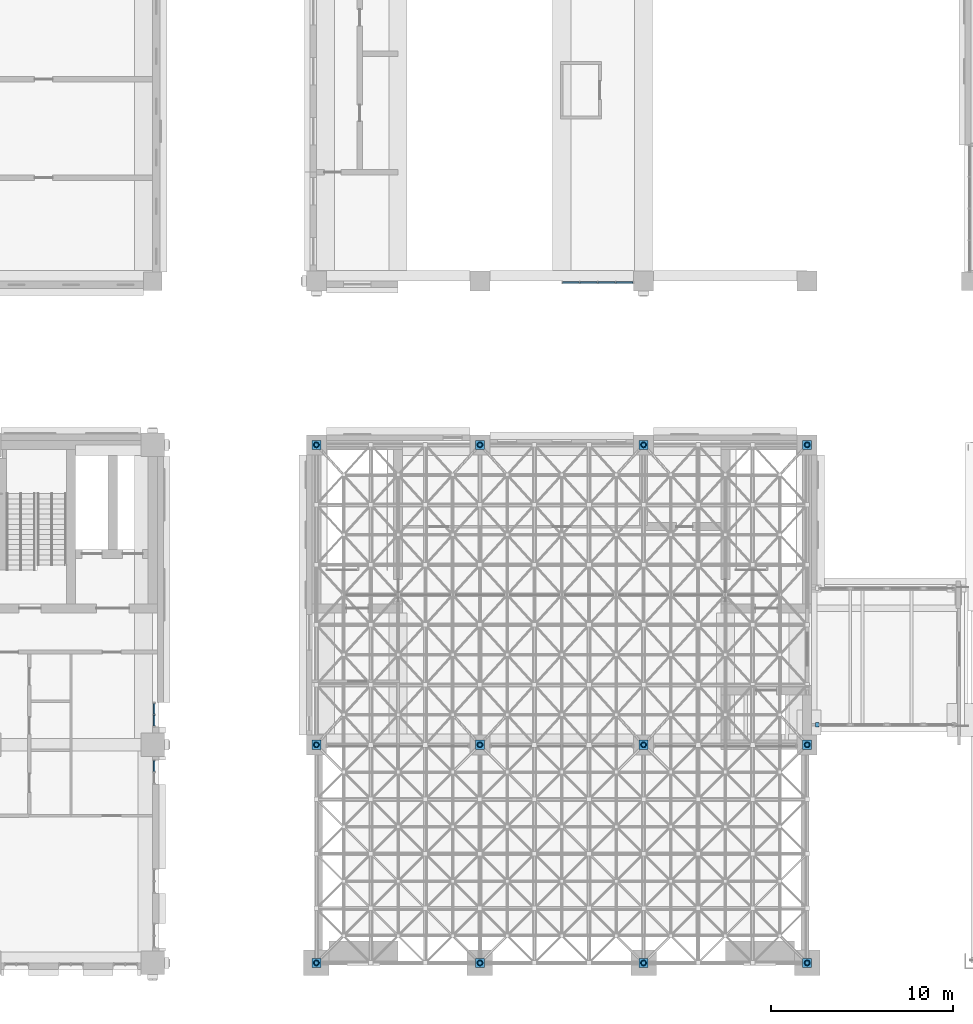
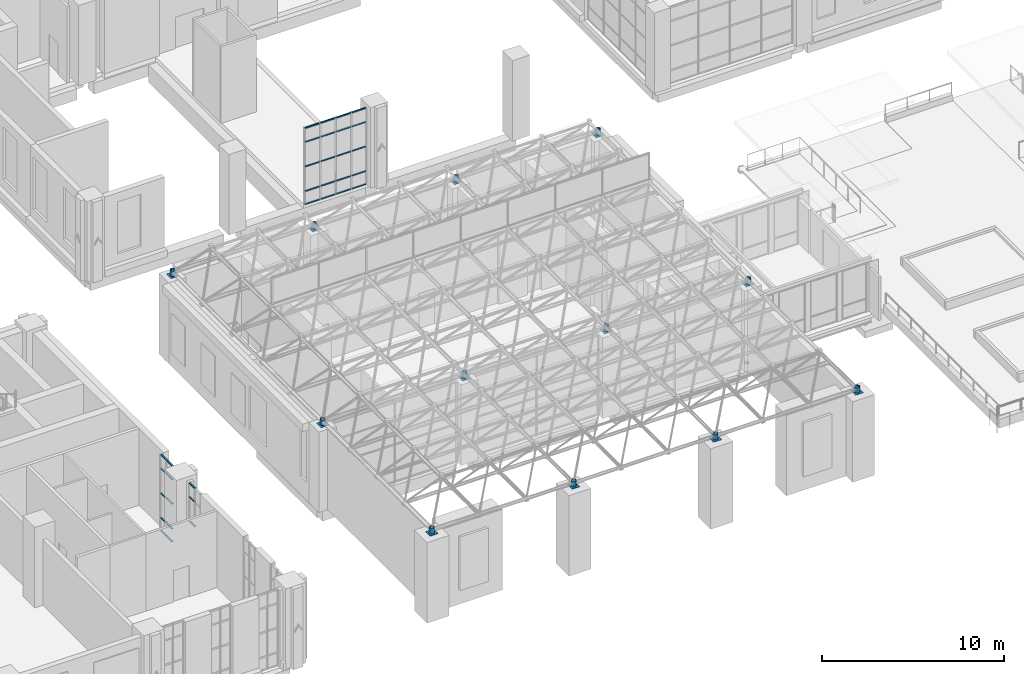
# One storey, part 17 of 53: 58 members, 3 elements without a shape of their own.
"""IFC4 building model written with IfcOpenShell, lengths in metres."""

from ifc_helpers import new_model, si_unit, direction, frame, origin, origin_2d, place, context, subcontext, project, spatial, rectangle, hollow_circle, extrude, material, layer, layer_set, material_profile, profile_set, type_object, element, aggregate, save


model = new_model("IFC4")

# Units and contexts
model_context = context("Model", 3, precision=1e-05, world=origin(), true_north=direction((0.0, 1.0)))
body_context = subcontext(model_context, "Body", "Model", "MODEL_VIEW")
ifc_project = project(units=[si_unit("LENGTHUNIT", "METRE"), si_unit("AREAUNIT", "SQUARE_METRE"), si_unit("VOLUMEUNIT", "CUBIC_METRE"), si_unit("PLANEANGLEUNIT", "RADIAN"), si_unit("MASSUNIT", "GRAM", prefix="KILO")], contexts=[model_context])

# Site, building, storey
site_placement = place(None, origin())
site = spatial("IfcSite", under=ifc_project, at=site_placement, CompositionType="ELEMENT")
building_placement = place(site_placement, origin())
building = spatial("IfcBuilding", under=site, at=building_placement, Name="Aurelan Courthouse", CompositionType="ELEMENT")
storey_placement = place(building_placement, frame((0.0, 0.0, 12.0)))
storey = spatial("IfcBuildingStorey", under=building, at=storey_placement, Name="L02", CompositionType="ELEMENT", Elevation=12.0)

# Members
ifc_material_1 = material(Name="Steel S355", Category="steel")
ifc_material_profile_1 = material_profile(ifc_material_1, rectangle(XDim=0.5, YDim=0.5, at=origin_2d()), Name="PL 500 x 500")
ifc_profile_set_1 = profile_set([ifc_material_profile_1], Name="Steel S355")
member_type_1 = type_object("IfcMemberType", Name="Bearing plate 500 x 500 x 20", PredefinedType="USERDEFINED", material=ifc_profile_set_1)
for number, where, z_axis, x_axis, name in (
    (1, (36.0, 0.0, 5.39990234375), (0.0, 0.0, 1.0), (1.0, 0.0, 0.0), "Bearing plate SF-P1 A5"),
    (2, (45.0, 0.0, 5.39990234375), (0.0, 0.0, 1.0), (1.0, 0.0, 0.0), "Bearing plate SF-P1 A6"),
    (3, (54.0, 0.0, 5.39990234375), (0.0, 0.0, 1.0), (1.0, 0.0, 0.0), "Bearing plate SF-P1 A7"),
    (4, (63.0, 0.0, 5.39990234375), (0.0, 0.0, 1.0), (1.0, 0.0, 0.0), "Bearing plate SF-P1 A8"),
    (5, (36.0, 12.0, 5.39990234375), (0.0, 0.0, 1.0), (1.0, 0.0, 0.0), "Bearing plate SF-P1 B5"),
    (6, (45.0, 12.0, 5.39990234375), (0.0, 0.0, 1.0), (1.0, 0.0, 0.0), "Bearing plate SF-P1 B6"),
    (7, (54.0, 12.0, 5.39990234375), (0.0, 0.0, 1.0), (1.0, 0.0, 0.0), "Bearing plate SF-P1 B7"),
    (8, (63.0, 12.0, 5.39990234375), (0.0, 0.0, 1.0), (1.0, 0.0, 0.0), "Bearing plate SF-P1 B8"),
    (9, (36.0, 28.5, 5.39990234375), (0.0, 0.0, 1.0), (1.0, 0.0, 0.0), "Bearing plate SF-P1 C5"),
    (10, (45.0, 28.5, 5.39990234375), (0.0, 0.0, 1.0), (1.0, 0.0, 0.0), "Bearing plate SF-P1 C6"),
    (11, (54.0, 28.5, 5.39990234375), (0.0, 0.0, 1.0), (1.0, 0.0, 0.0), "Bearing plate SF-P1 C7"),
    (12, (63.0, 28.5, 5.39990234375), (0.0, 0.0, 1.0), (1.0, 0.0, 0.0), "Bearing plate SF-P1 C8"),
):
    element("IfcMember", number, at=place(storey_placement, frame(where, z_axis=z_axis, x_axis=x_axis)), inside=storey, type_object=member_type_1, Name=name, ObjectType="BEARING PLATE", PredefinedType="USERDEFINED", context=body_context, shape_type="SweptSolid", body=[
        extrude(rectangle(XDim=0.5, YDim=0.5, at=origin_2d()), origin(), (0.0, 0.0, 1.0), 0.02001953125),
    ])
ifc_material_2 = material(Name="Steel-laminated elastomeric bearing, S355 steel shims", Category="steel")
ifc_material_profile_2 = material_profile(ifc_material_2, rectangle(XDim=0.199951171875, YDim=0.25, at=origin_2d()), Name="PL 200 x 250")
ifc_profile_set_2 = profile_set([ifc_material_profile_2], Name="Steel-laminated elastomeric bearing, S355 steel shims")
member_type_2 = type_object("IfcMemberType", Name="Bridge fixed bearing 200 x 250 x 50", PredefinedType="USERDEFINED", material=ifc_profile_set_2)
member_1_placement = place(storey_placement, frame((63.550048828125, 13.10009765625, -0.800048828125), z_axis=(0.0, 0.0, 1.0), x_axis=(1.0, 0.0, 0.0)))
element("IfcMember", 13, at=member_1_placement, inside=storey, type_object=member_type_2, Name="Bridge fixed bearing BRF-3", ObjectType="BEARING", PredefinedType="USERDEFINED", context=body_context, shape_type="SweptSolid", body=[
    extrude(rectangle(XDim=0.199951171875, YDim=0.25, at=origin_2d()), origin(), (0.0, 0.0, 1.0), 0.050048828125),
])

# Curtain wall, members
ifc_material_3 = material(Name="Bronze-finished aluminium and glass", Category="aluminium")
ifc_layer_1 = layer(ifc_material_3, 0.14990234375)
ifc_layer_set_1 = layer_set([ifc_layer_1], Name="Bronze-finished aluminium and glass")
curtain_wall_type_1 = type_object("IfcCurtainWallType", Name="Curtain wall 3950 x 5150", PredefinedType="NOTDEFINED", material=ifc_layer_set_1)
curtain_wall_1_placement = place(storey_placement, origin())
curtain_wall_1 = element("IfcCurtainWall", 14, at=curtain_wall_1_placement, inside=storey, type_object=curtain_wall_type_1, Name="Curtain wall CW-V2-L02-S01", PredefinedType="NOTDEFINED")
ifc_material_4 = material(Name="Bronze-finished aluminium", Category="aluminium")
ifc_material_profile_3 = material_profile(ifc_material_4, rectangle(XDim=0.090087890625, YDim=0.050048828125, at=origin_2d()), Name="Bronze transom 50 x 90")
ifc_profile_set_3 = profile_set([ifc_material_profile_3], Name="Bronze-finished aluminium")
member_type_3 = type_object("IfcMemberType", Name="Curtain wall transom 50 x 90", PredefinedType="USERDEFINED", material=ifc_profile_set_3)
member_2_placement = place(storey_placement, frame((49.550048828125, 37.425048828125, 0.02490234375), z_axis=(1.0, 0.0, 0.0), x_axis=(0.0, 1.0, 0.0)))
member_2 = element("IfcMember", 15, at=member_2_placement, type_object=member_type_3, Name="CW-V2-L02-S01 transom 1.1", ObjectType="TRANSOM", PredefinedType="USERDEFINED", context=body_context, shape_type="SweptSolid", body=[
    extrude(rectangle(XDim=0.090087890625, YDim=0.050048828125, at=origin_2d()), origin(), (0.0, 0.0, 1.0), 0.912353515625),
])
member_3_placement = place(storey_placement, frame((49.550048828125, 37.425048828125, 0.89990234375), z_axis=(1.0, 0.0, 0.0), x_axis=(0.0, 1.0, 0.0)))
member_3 = element("IfcMember", 16, at=member_3_placement, type_object=member_type_3, Name="CW-V2-L02-S01 transom 1.2", ObjectType="TRANSOM", PredefinedType="USERDEFINED", context=body_context, shape_type="SweptSolid", body=[
    extrude(rectangle(XDim=0.090087890625, YDim=0.050048828125, at=origin_2d()), origin(), (0.0, 0.0, 1.0), 0.912353515625),
])
member_4_placement = place(storey_placement, frame((49.550048828125, 37.425048828125, 2.550048828125), z_axis=(1.0, 0.0, 0.0), x_axis=(0.0, 1.0, 0.0)))
member_4 = element("IfcMember", 17, at=member_4_placement, type_object=member_type_3, Name="CW-V2-L02-S01 transom 1.3", ObjectType="TRANSOM", PredefinedType="USERDEFINED", context=body_context, shape_type="SweptSolid", body=[
    extrude(rectangle(XDim=0.090087890625, YDim=0.050048828125, at=origin_2d()), origin(), (0.0, 0.0, 1.0), 0.912353515625),
])
member_5_placement = place(storey_placement, frame((49.550048828125, 37.425048828125, 4.199951171875), z_axis=(1.0, 0.0, 0.0), x_axis=(0.0, 1.0, 0.0)))
member_5 = element("IfcMember", 18, at=member_5_placement, type_object=member_type_3, Name="CW-V2-L02-S01 transom 1.4", ObjectType="TRANSOM", PredefinedType="USERDEFINED", context=body_context, shape_type="SweptSolid", body=[
    extrude(rectangle(XDim=0.090087890625, YDim=0.050048828125, at=origin_2d()), origin(), (0.0, 0.0, 1.0), 0.912353515625),
])
member_6_placement = place(storey_placement, frame((49.550048828125, 37.425048828125, 5.125), z_axis=(1.0, 0.0, 0.0), x_axis=(0.0, 1.0, 0.0)))
member_6 = element("IfcMember", 19, at=member_6_placement, type_object=member_type_3, Name="CW-V2-L02-S01 transom 1.5", ObjectType="TRANSOM", PredefinedType="USERDEFINED", context=body_context, shape_type="SweptSolid", body=[
    extrude(rectangle(XDim=0.090087890625, YDim=0.050048828125, at=origin_2d()), origin(), (0.0, 0.0, 1.0), 0.912353515625),
])
member_7_placement = place(storey_placement, frame((50.512451171875, 37.425048828125, 0.02490234375), z_axis=(1.0, 0.0, 0.0), x_axis=(0.0, 1.0, 0.0)))
member_7 = element("IfcMember", 20, at=member_7_placement, type_object=member_type_3, Name="CW-V2-L02-S01 transom 2.1", ObjectType="TRANSOM", PredefinedType="USERDEFINED", context=body_context, shape_type="SweptSolid", body=[
    extrude(rectangle(XDim=0.090087890625, YDim=0.050048828125, at=origin_2d()), origin(), (0.0, 0.0, 1.0), 0.9375),
])
member_8_placement = place(storey_placement, frame((50.512451171875, 37.425048828125, 0.89990234375), z_axis=(1.0, 0.0, 0.0), x_axis=(0.0, 1.0, 0.0)))
member_8 = element("IfcMember", 21, at=member_8_placement, type_object=member_type_3, Name="CW-V2-L02-S01 transom 2.2", ObjectType="TRANSOM", PredefinedType="USERDEFINED", context=body_context, shape_type="SweptSolid", body=[
    extrude(rectangle(XDim=0.090087890625, YDim=0.050048828125, at=origin_2d()), origin(), (0.0, 0.0, 1.0), 0.9375),
])
member_9_placement = place(storey_placement, frame((50.512451171875, 37.425048828125, 2.550048828125), z_axis=(1.0, 0.0, 0.0), x_axis=(0.0, 1.0, 0.0)))
member_9 = element("IfcMember", 22, at=member_9_placement, type_object=member_type_3, Name="CW-V2-L02-S01 transom 2.3", ObjectType="TRANSOM", PredefinedType="USERDEFINED", context=body_context, shape_type="SweptSolid", body=[
    extrude(rectangle(XDim=0.090087890625, YDim=0.050048828125, at=origin_2d()), origin(), (0.0, 0.0, 1.0), 0.9375),
])
member_10_placement = place(storey_placement, frame((50.512451171875, 37.425048828125, 4.199951171875), z_axis=(1.0, 0.0, 0.0), x_axis=(0.0, 1.0, 0.0)))
member_10 = element("IfcMember", 23, at=member_10_placement, type_object=member_type_3, Name="CW-V2-L02-S01 transom 2.4", ObjectType="TRANSOM", PredefinedType="USERDEFINED", context=body_context, shape_type="SweptSolid", body=[
    extrude(rectangle(XDim=0.090087890625, YDim=0.050048828125, at=origin_2d()), origin(), (0.0, 0.0, 1.0), 0.9375),
])
member_11_placement = place(storey_placement, frame((50.512451171875, 37.425048828125, 5.125), z_axis=(1.0, 0.0, 0.0), x_axis=(0.0, 1.0, 0.0)))
member_11 = element("IfcMember", 24, at=member_11_placement, type_object=member_type_3, Name="CW-V2-L02-S01 transom 2.5", ObjectType="TRANSOM", PredefinedType="USERDEFINED", context=body_context, shape_type="SweptSolid", body=[
    extrude(rectangle(XDim=0.090087890625, YDim=0.050048828125, at=origin_2d()), origin(), (0.0, 0.0, 1.0), 0.9375),
])
member_12_placement = place(storey_placement, frame((51.5, 37.425048828125, 0.02490234375), z_axis=(1.0, 0.0, 0.0), x_axis=(0.0, 1.0, 0.0)))
member_12 = element("IfcMember", 25, at=member_12_placement, type_object=member_type_3, Name="CW-V2-L02-S01 transom 3.1", ObjectType="TRANSOM", PredefinedType="USERDEFINED", context=body_context, shape_type="SweptSolid", body=[
    extrude(rectangle(XDim=0.090087890625, YDim=0.050048828125, at=origin_2d()), origin(), (0.0, 0.0, 1.0), 0.9375),
])
member_13_placement = place(storey_placement, frame((51.5, 37.425048828125, 0.89990234375), z_axis=(1.0, 0.0, 0.0), x_axis=(0.0, 1.0, 0.0)))
member_13 = element("IfcMember", 26, at=member_13_placement, type_object=member_type_3, Name="CW-V2-L02-S01 transom 3.2", ObjectType="TRANSOM", PredefinedType="USERDEFINED", context=body_context, shape_type="SweptSolid", body=[
    extrude(rectangle(XDim=0.090087890625, YDim=0.050048828125, at=origin_2d()), origin(), (0.0, 0.0, 1.0), 0.9375),
])
member_14_placement = place(storey_placement, frame((51.5, 37.425048828125, 2.550048828125), z_axis=(1.0, 0.0, 0.0), x_axis=(0.0, 1.0, 0.0)))
member_14 = element("IfcMember", 27, at=member_14_placement, type_object=member_type_3, Name="CW-V2-L02-S01 transom 3.3", ObjectType="TRANSOM", PredefinedType="USERDEFINED", context=body_context, shape_type="SweptSolid", body=[
    extrude(rectangle(XDim=0.090087890625, YDim=0.050048828125, at=origin_2d()), origin(), (0.0, 0.0, 1.0), 0.9375),
])
member_15_placement = place(storey_placement, frame((51.5, 37.425048828125, 4.199951171875), z_axis=(1.0, 0.0, 0.0), x_axis=(0.0, 1.0, 0.0)))
member_15 = element("IfcMember", 28, at=member_15_placement, type_object=member_type_3, Name="CW-V2-L02-S01 transom 3.4", ObjectType="TRANSOM", PredefinedType="USERDEFINED", context=body_context, shape_type="SweptSolid", body=[
    extrude(rectangle(XDim=0.090087890625, YDim=0.050048828125, at=origin_2d()), origin(), (0.0, 0.0, 1.0), 0.9375),
])
member_16_placement = place(storey_placement, frame((51.5, 37.425048828125, 5.125), z_axis=(1.0, 0.0, 0.0), x_axis=(0.0, 1.0, 0.0)))
member_16 = element("IfcMember", 29, at=member_16_placement, type_object=member_type_3, Name="CW-V2-L02-S01 transom 3.5", ObjectType="TRANSOM", PredefinedType="USERDEFINED", context=body_context, shape_type="SweptSolid", body=[
    extrude(rectangle(XDim=0.090087890625, YDim=0.050048828125, at=origin_2d()), origin(), (0.0, 0.0, 1.0), 0.9375),
])
member_17_placement = place(storey_placement, frame((52.487548828125, 37.425048828125, 0.02490234375), z_axis=(1.0, 0.0, 0.0), x_axis=(0.0, 1.0, 0.0)))
member_17 = element("IfcMember", 30, at=member_17_placement, type_object=member_type_3, Name="CW-V2-L02-S01 transom 4.1", ObjectType="TRANSOM", PredefinedType="USERDEFINED", context=body_context, shape_type="SweptSolid", body=[
    extrude(rectangle(XDim=0.090087890625, YDim=0.050048828125, at=origin_2d()), origin(), (0.0, 0.0, 1.0), 0.912353515625),
])
member_18_placement = place(storey_placement, frame((52.487548828125, 37.425048828125, 0.89990234375), z_axis=(1.0, 0.0, 0.0), x_axis=(0.0, 1.0, 0.0)))
member_18 = element("IfcMember", 31, at=member_18_placement, type_object=member_type_3, Name="CW-V2-L02-S01 transom 4.2", ObjectType="TRANSOM", PredefinedType="USERDEFINED", context=body_context, shape_type="SweptSolid", body=[
    extrude(rectangle(XDim=0.090087890625, YDim=0.050048828125, at=origin_2d()), origin(), (0.0, 0.0, 1.0), 0.912353515625),
])
member_19_placement = place(storey_placement, frame((52.487548828125, 37.425048828125, 2.550048828125), z_axis=(1.0, 0.0, 0.0), x_axis=(0.0, 1.0, 0.0)))
member_19 = element("IfcMember", 32, at=member_19_placement, type_object=member_type_3, Name="CW-V2-L02-S01 transom 4.3", ObjectType="TRANSOM", PredefinedType="USERDEFINED", context=body_context, shape_type="SweptSolid", body=[
    extrude(rectangle(XDim=0.090087890625, YDim=0.050048828125, at=origin_2d()), origin(), (0.0, 0.0, 1.0), 0.912353515625),
])
member_20_placement = place(storey_placement, frame((52.487548828125, 37.425048828125, 4.199951171875), z_axis=(1.0, 0.0, 0.0), x_axis=(0.0, 1.0, 0.0)))
member_20 = element("IfcMember", 33, at=member_20_placement, type_object=member_type_3, Name="CW-V2-L02-S01 transom 4.4", ObjectType="TRANSOM", PredefinedType="USERDEFINED", context=body_context, shape_type="SweptSolid", body=[
    extrude(rectangle(XDim=0.090087890625, YDim=0.050048828125, at=origin_2d()), origin(), (0.0, 0.0, 1.0), 0.912353515625),
])
member_21_placement = place(storey_placement, frame((52.487548828125, 37.425048828125, 5.125), z_axis=(1.0, 0.0, 0.0), x_axis=(0.0, 1.0, 0.0)))
member_21 = element("IfcMember", 34, at=member_21_placement, type_object=member_type_3, Name="CW-V2-L02-S01 transom 4.5", ObjectType="TRANSOM", PredefinedType="USERDEFINED", context=body_context, shape_type="SweptSolid", body=[
    extrude(rectangle(XDim=0.090087890625, YDim=0.050048828125, at=origin_2d()), origin(), (0.0, 0.0, 1.0), 0.912353515625),
])
aggregate(curtain_wall_1, [member_2, member_3, member_4, member_5, member_6, member_7, member_8, member_9, member_10, member_11, member_12, member_13, member_14, member_15, member_16, member_17, member_18, member_19, member_20, member_21])

ifc_layer_2 = layer(ifc_material_3, 0.14990234375)
ifc_layer_set_2 = layer_set([ifc_layer_2], Name="Bronze-finished aluminium and glass")
curtain_wall_type_2 = type_object("IfcCurtainWallType", Name="Curtain wall 1350 x 5150", PredefinedType="NOTDEFINED", material=ifc_layer_set_2)
curtain_wall_2_placement = place(storey_placement, origin())
curtain_wall_2 = element("IfcCurtainWall", 35, at=curtain_wall_2_placement, inside=storey, type_object=curtain_wall_type_2, Name="Curtain wall CW-V5-L02-E03", PredefinedType="NOTDEFINED")
ifc_material_profile_4 = material_profile(ifc_material_4, rectangle(XDim=0.10009765625, YDim=0.06005859375, at=origin_2d()), Name="Bronze transom 60 x 100")
ifc_profile_set_4 = profile_set([ifc_material_profile_4], Name="Bronze-finished aluminium")
member_type_4 = type_object("IfcMemberType", Name="Curtain wall transom 60 x 100", PredefinedType="USERDEFINED", material=ifc_profile_set_4)
member_22_placement = place(storey_placement, frame((27.074951171875, 10.530029296875, 2.550048828125), z_axis=(0.0, 1.0, 0.0), x_axis=(-1.0, 0.0, 0.0)))
member_22 = element("IfcMember", 36, at=member_22_placement, type_object=member_type_4, Name="CW-V5-L02-E03 transom 2.3", ObjectType="TRANSOM", PredefinedType="USERDEFINED", context=body_context, shape_type="SweptSolid", body=[
    extrude(rectangle(XDim=0.10009765625, YDim=0.06005859375, at=origin_2d()), origin(), (0.0, 0.0, 1.0), 0.5849609375),
])
member_23_placement = place(storey_placement, frame((27.074951171875, 10.530029296875, 4.199951171875), z_axis=(0.0, 1.0, 0.0), x_axis=(-1.0, 0.0, 0.0)))
member_23 = element("IfcMember", 37, at=member_23_placement, type_object=member_type_4, Name="CW-V5-L02-E03 transom 2.4", ObjectType="TRANSOM", PredefinedType="USERDEFINED", context=body_context, shape_type="SweptSolid", body=[
    extrude(rectangle(XDim=0.10009765625, YDim=0.06005859375, at=origin_2d()), origin(), (0.0, 0.0, 1.0), 0.5849609375),
])
member_24_placement = place(storey_placement, frame((27.074951171875, 10.530029296875, 5.1201171875), z_axis=(0.0, 1.0, 0.0), x_axis=(-1.0, 0.0, 0.0)))
member_24 = element("IfcMember", 38, at=member_24_placement, type_object=member_type_4, Name="CW-V5-L02-E03 transom 2.5", ObjectType="TRANSOM", PredefinedType="USERDEFINED", context=body_context, shape_type="SweptSolid", body=[
    extrude(rectangle(XDim=0.10009765625, YDim=0.06005859375, at=origin_2d()), origin(), (0.0, 0.0, 1.0), 0.5849609375),
])
aggregate(curtain_wall_2, [member_22, member_23, member_24])

curtain_wall_3_placement = place(storey_placement, origin())
curtain_wall_3 = element("IfcCurtainWall", 39, at=curtain_wall_3_placement, inside=storey, type_object=curtain_wall_type_2, Name="Curtain wall CW-V5-L02-E04", PredefinedType="NOTDEFINED")
member_25_placement = place(storey_placement, frame((27.074951171875, 13.034912109375, 0.030029296875), z_axis=(0.0, 1.0, 0.0), x_axis=(-1.0, 0.0, 0.0)))
member_25 = element("IfcMember", 40, at=member_25_placement, type_object=member_type_4, Name="CW-V5-L02-E04 transom 1.1", ObjectType="TRANSOM", PredefinedType="USERDEFINED", context=body_context, shape_type="SweptSolid", body=[
    extrude(rectangle(XDim=0.10009765625, YDim=0.06005859375, at=origin_2d()), origin(), (0.0, 0.0, 1.0), 0.585205078125),
])
member_26_placement = place(storey_placement, frame((27.074951171875, 13.034912109375, 0.89990234375), z_axis=(0.0, 1.0, 0.0), x_axis=(-1.0, 0.0, 0.0)))
member_26 = element("IfcMember", 41, at=member_26_placement, type_object=member_type_4, Name="CW-V5-L02-E04 transom 1.2", ObjectType="TRANSOM", PredefinedType="USERDEFINED", context=body_context, shape_type="SweptSolid", body=[
    extrude(rectangle(XDim=0.10009765625, YDim=0.06005859375, at=origin_2d()), origin(), (0.0, 0.0, 1.0), 0.585205078125),
])
member_27_placement = place(storey_placement, frame((27.074951171875, 13.034912109375, 2.550048828125), z_axis=(0.0, 1.0, 0.0), x_axis=(-1.0, 0.0, 0.0)))
member_27 = element("IfcMember", 42, at=member_27_placement, type_object=member_type_4, Name="CW-V5-L02-E04 transom 1.3", ObjectType="TRANSOM", PredefinedType="USERDEFINED", context=body_context, shape_type="SweptSolid", body=[
    extrude(rectangle(XDim=0.10009765625, YDim=0.06005859375, at=origin_2d()), origin(), (0.0, 0.0, 1.0), 0.585205078125),
])
member_28_placement = place(storey_placement, frame((27.074951171875, 13.034912109375, 4.199951171875), z_axis=(0.0, 1.0, 0.0), x_axis=(-1.0, 0.0, 0.0)))
member_28 = element("IfcMember", 43, at=member_28_placement, type_object=member_type_4, Name="CW-V5-L02-E04 transom 1.4", ObjectType="TRANSOM", PredefinedType="USERDEFINED", context=body_context, shape_type="SweptSolid", body=[
    extrude(rectangle(XDim=0.10009765625, YDim=0.06005859375, at=origin_2d()), origin(), (0.0, 0.0, 1.0), 0.585205078125),
])
member_29_placement = place(storey_placement, frame((27.074951171875, 13.034912109375, 5.1201171875), z_axis=(0.0, 1.0, 0.0), x_axis=(-1.0, 0.0, 0.0)))
member_29 = element("IfcMember", 44, at=member_29_placement, type_object=member_type_4, Name="CW-V5-L02-E04 transom 1.5", ObjectType="TRANSOM", PredefinedType="USERDEFINED", context=body_context, shape_type="SweptSolid", body=[
    extrude(rectangle(XDim=0.10009765625, YDim=0.06005859375, at=origin_2d()), origin(), (0.0, 0.0, 1.0), 0.585205078125),
])
member_30_placement = place(storey_placement, frame((27.074951171875, 13.679931640625, 0.030029296875), z_axis=(0.0, 1.0, 0.0), x_axis=(-1.0, 0.0, 0.0)))
member_30 = element("IfcMember", 45, at=member_30_placement, type_object=member_type_4, Name="CW-V5-L02-E04 transom 2.1", ObjectType="TRANSOM", PredefinedType="USERDEFINED", context=body_context, shape_type="SweptSolid", body=[
    extrude(rectangle(XDim=0.10009765625, YDim=0.06005859375, at=origin_2d()), origin(), (0.0, 0.0, 1.0), 0.5849609375),
])
member_31_placement = place(storey_placement, frame((27.074951171875, 13.679931640625, 0.89990234375), z_axis=(0.0, 1.0, 0.0), x_axis=(-1.0, 0.0, 0.0)))
member_31 = element("IfcMember", 46, at=member_31_placement, type_object=member_type_4, Name="CW-V5-L02-E04 transom 2.2", ObjectType="TRANSOM", PredefinedType="USERDEFINED", context=body_context, shape_type="SweptSolid", body=[
    extrude(rectangle(XDim=0.10009765625, YDim=0.06005859375, at=origin_2d()), origin(), (0.0, 0.0, 1.0), 0.5849609375),
])
member_32_placement = place(storey_placement, frame((27.074951171875, 13.679931640625, 2.550048828125), z_axis=(0.0, 1.0, 0.0), x_axis=(-1.0, 0.0, 0.0)))
member_32 = element("IfcMember", 47, at=member_32_placement, type_object=member_type_4, Name="CW-V5-L02-E04 transom 2.3", ObjectType="TRANSOM", PredefinedType="USERDEFINED", context=body_context, shape_type="SweptSolid", body=[
    extrude(rectangle(XDim=0.10009765625, YDim=0.06005859375, at=origin_2d()), origin(), (0.0, 0.0, 1.0), 0.5849609375),
])
member_33_placement = place(storey_placement, frame((27.074951171875, 13.679931640625, 4.199951171875), z_axis=(0.0, 1.0, 0.0), x_axis=(-1.0, 0.0, 0.0)))
member_33 = element("IfcMember", 48, at=member_33_placement, type_object=member_type_4, Name="CW-V5-L02-E04 transom 2.4", ObjectType="TRANSOM", PredefinedType="USERDEFINED", context=body_context, shape_type="SweptSolid", body=[
    extrude(rectangle(XDim=0.10009765625, YDim=0.06005859375, at=origin_2d()), origin(), (0.0, 0.0, 1.0), 0.5849609375),
])
member_34_placement = place(storey_placement, frame((27.074951171875, 13.679931640625, 5.1201171875), z_axis=(0.0, 1.0, 0.0), x_axis=(-1.0, 0.0, 0.0)))
member_34 = element("IfcMember", 49, at=member_34_placement, type_object=member_type_4, Name="CW-V5-L02-E04 transom 2.5", ObjectType="TRANSOM", PredefinedType="USERDEFINED", context=body_context, shape_type="SweptSolid", body=[
    extrude(rectangle(XDim=0.10009765625, YDim=0.06005859375, at=origin_2d()), origin(), (0.0, 0.0, 1.0), 0.5849609375),
])
aggregate(curtain_wall_3, [member_25, member_26, member_27, member_28, member_29, member_30, member_31, member_32, member_33, member_34])

# Members
ifc_material_profile_5 = material_profile(ifc_material_1, hollow_circle(Radius=0.14990234375, WallThickness=0.02490234375, at=origin_2d()), Name="CHS 300 x 25")
ifc_profile_set_5 = profile_set([ifc_material_profile_5], Name="Steel S355")
member_type_5 = type_object("IfcMemberType", Name="Space frame bearing node CHS 300 x 25", PredefinedType="USERDEFINED", material=ifc_profile_set_5)
for number, where, z_axis, x_axis, name in (
    (50, (36.0, 0.0, 5.419921875), (0.0, 0.0, 1.0), (1.0, 0.0, 0.0), "Space frame bearing node SF-N1 A5"),
    (51, (45.0, 0.0, 5.419921875), (0.0, 0.0, 1.0), (1.0, 0.0, 0.0), "Space frame bearing node SF-N1 A6"),
    (52, (54.0, 0.0, 5.419921875), (0.0, 0.0, 1.0), (1.0, 0.0, 0.0), "Space frame bearing node SF-N1 A7"),
    (53, (63.0, 0.0, 5.419921875), (0.0, 0.0, 1.0), (1.0, 0.0, 0.0), "Space frame bearing node SF-N1 A8"),
    (54, (36.0, 12.0, 5.419921875), (0.0, 0.0, 1.0), (1.0, 0.0, 0.0), "Space frame bearing node SF-N1 B5"),
    (55, (45.0, 12.0, 5.419921875), (0.0, 0.0, 1.0), (1.0, 0.0, 0.0), "Space frame bearing node SF-N1 B6"),
    (56, (54.0, 12.0, 5.419921875), (0.0, 0.0, 1.0), (1.0, 0.0, 0.0), "Space frame bearing node SF-N1 B7"),
    (57, (63.0, 12.0, 5.419921875), (0.0, 0.0, 1.0), (1.0, 0.0, 0.0), "Space frame bearing node SF-N1 B8"),
    (58, (36.0, 28.5, 5.419921875), (0.0, 0.0, 1.0), (1.0, 0.0, 0.0), "Space frame bearing node SF-N1 C5"),
    (59, (45.0, 28.5, 5.419921875), (0.0, 0.0, 1.0), (1.0, 0.0, 0.0), "Space frame bearing node SF-N1 C6"),
    (60, (54.0, 28.5, 5.419921875), (0.0, 0.0, 1.0), (1.0, 0.0, 0.0), "Space frame bearing node SF-N1 C7"),
    (61, (63.0, 28.5, 5.419921875), (0.0, 0.0, 1.0), (1.0, 0.0, 0.0), "Space frame bearing node SF-N1 C8"),
):
    element("IfcMember", number, at=place(storey_placement, frame(where, z_axis=z_axis, x_axis=x_axis)), inside=storey, type_object=member_type_5, Name=name, ObjectType="BEARING NODE", PredefinedType="USERDEFINED", context=body_context, shape_type="SweptSolid", body=[
        extrude(hollow_circle(Radius=0.14990234375, WallThickness=0.02490234375, at=origin_2d()), origin(), (0.0, 0.0, 1.0), 0.360107421875),
    ])

save(model, "model.ifc")
